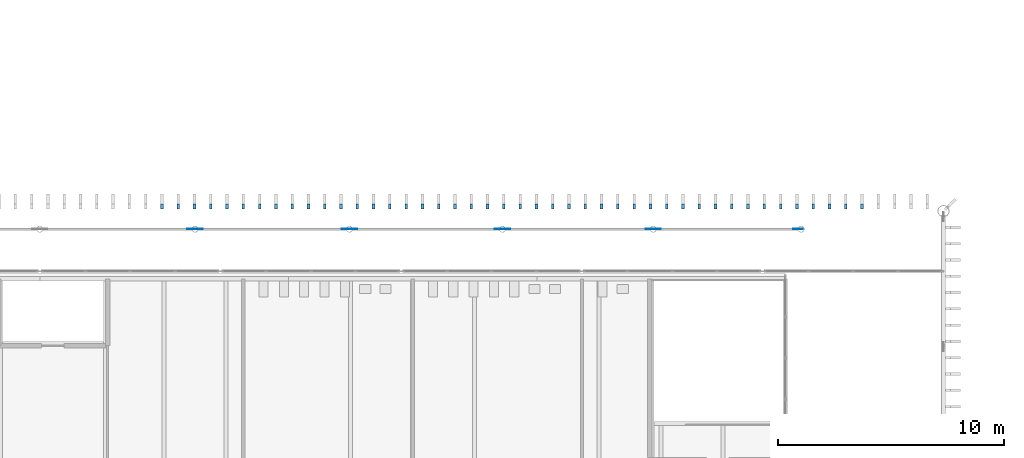
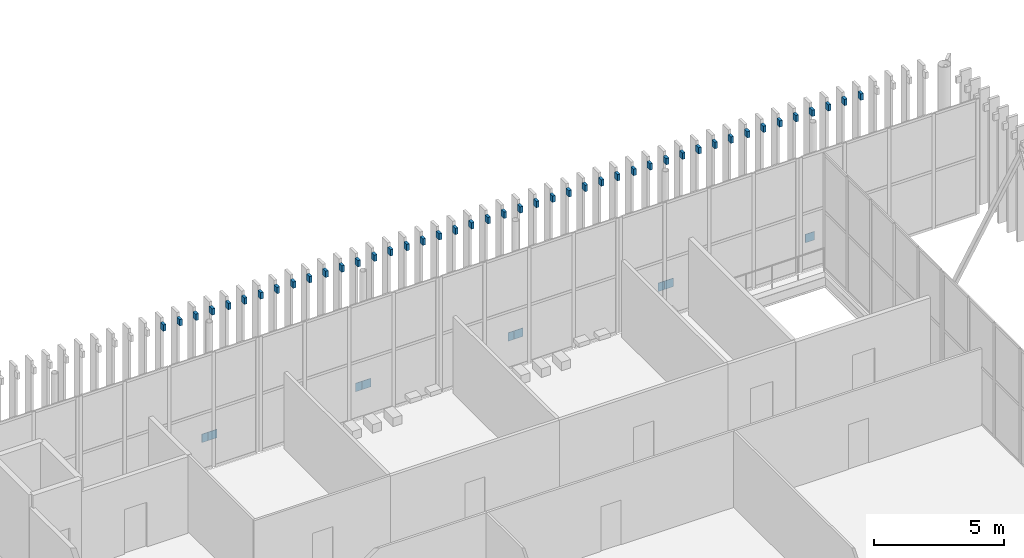
# One storey, part 148 of 170: 53 discrete accessories.
"""IFC4 building model written with IfcOpenShell, lengths in metres."""

from ifc_helpers import new_model, si_unit, direction, frame, origin, origin_2d, place, context, subcontext, project, spatial, rectangle, extrude, material, material_profile, profile_set, type_object, element, save


model = new_model("IFC4")

# Units and contexts
model_context = context("Model", 3, precision=1e-05, world=origin(), true_north=direction((0.0, 1.0)))
body_context = subcontext(model_context, "Body", "Model", "MODEL_VIEW")
ifc_project = project(units=[si_unit("LENGTHUNIT", "METRE"), si_unit("AREAUNIT", "SQUARE_METRE"), si_unit("VOLUMEUNIT", "CUBIC_METRE"), si_unit("PLANEANGLEUNIT", "RADIAN"), si_unit("MASSUNIT", "GRAM", prefix="KILO")], contexts=[model_context])

# Site, building, storey
site_placement = place(None, origin())
site = spatial("IfcSite", under=ifc_project, at=site_placement, CompositionType="ELEMENT")
building_placement = place(site_placement, origin())
building = spatial("IfcBuilding", under=site, at=building_placement, Name="Ravi Spectrum Wholesale Market", CompositionType="ELEMENT")
storey_placement = place(building_placement, frame((0.0, 0.0, 5.39990234375)))
storey = spatial("IfcBuildingStorey", under=building, at=storey_placement, Name="L01", CompositionType="ELEMENT", Elevation=5.39990234375)

# Discrete accessories
ifc_material_1 = material(Name="Steel S355", Category="steel")
discrete_accessory_type_1 = type_object("IfcDiscreteAccessoryType", Name="Fin bracket 120", PredefinedType="BRACKET", material=ifc_material_1)
for number, where, z_axis, x_axis, name in (
    (1, (106.396484375, 198.199951171875, 4.89990234375), (0.0, 0.0, 1.0), (-1.0, 0.0, 0.0), "Fin bracket B592"),
    (2, (105.67578125, 198.199951171875, 4.89990234375), (0.0, 0.0, 1.0), (-1.0, 0.0, 0.0), "Fin bracket B593"),
    (3, (104.954833984375, 198.199951171875, 4.89990234375), (0.0, 0.0, 1.0), (-1.0, 0.0, 0.0), "Fin bracket B594"),
    (4, (104.234130859375, 198.199951171875, 4.89990234375), (0.0, 0.0, 1.0), (-1.0, 0.0, 0.0), "Fin bracket B595"),
    (5, (103.513427734375, 198.199951171875, 4.89990234375), (0.0, 0.0, 1.0), (-1.0, 0.0, 0.0), "Fin bracket B596"),
    (6, (102.792724609375, 198.199951171875, 4.89990234375), (0.0, 0.0, 1.0), (-1.0, 0.0, 0.0), "Fin bracket B597"),
    (7, (102.072021484375, 198.199951171875, 4.89990234375), (0.0, 0.0, 1.0), (-1.0, 0.0, 0.0), "Fin bracket B598"),
    (8, (101.351318359375, 198.199951171875, 4.89990234375), (0.0, 0.0, 1.0), (-1.0, 0.0, 0.0), "Fin bracket B599"),
    (9, (100.630615234375, 198.199951171875, 4.89990234375), (0.0, 0.0, 1.0), (-1.0, 0.0, 0.0), "Fin bracket B600"),
    (10, (99.909912109375, 198.199951171875, 4.89990234375), (0.0, 0.0, 1.0), (-1.0, 0.0, 0.0), "Fin bracket B601"),
    (11, (99.189208984375, 198.199951171875, 4.89990234375), (0.0, 0.0, 1.0), (-1.0, 0.0, 0.0), "Fin bracket B602"),
    (12, (98.468505859375, 198.199951171875, 4.89990234375), (0.0, 0.0, 1.0), (-1.0, 0.0, 0.0), "Fin bracket B603"),
    (13, (97.747802734375, 198.199951171875, 4.89990234375), (0.0, 0.0, 1.0), (-1.0, 0.0, 0.0), "Fin bracket B604"),
    (14, (97.027099609375, 198.199951171875, 4.89990234375), (0.0, 0.0, 1.0), (-1.0, 0.0, 0.0), "Fin bracket B605"),
    (15, (96.306396484375, 198.199951171875, 4.89990234375), (0.0, 0.0, 1.0), (-1.0, 0.0, 0.0), "Fin bracket B606"),
    (16, (95.585693359375, 198.199951171875, 4.89990234375), (0.0, 0.0, 1.0), (-1.0, 0.0, 0.0), "Fin bracket B607"),
    (17, (94.86474609375, 198.199951171875, 4.89990234375), (0.0, 0.0, 1.0), (-1.0, 0.0, 0.0), "Fin bracket B608"),
    (18, (94.14404296875, 198.199951171875, 4.89990234375), (0.0, 0.0, 1.0), (-1.0, 0.0, 0.0), "Fin bracket B609"),
    (19, (93.42333984375, 198.199951171875, 4.89990234375), (0.0, 0.0, 1.0), (-1.0, 0.0, 0.0), "Fin bracket B610"),
    (20, (92.70263671875, 198.199951171875, 4.89990234375), (0.0, 0.0, 1.0), (-1.0, 0.0, 0.0), "Fin bracket B611"),
    (21, (91.98193359375, 198.199951171875, 4.89990234375), (0.0, 0.0, 1.0), (-1.0, 0.0, 0.0), "Fin bracket B612"),
    (22, (91.26123046875, 198.199951171875, 4.89990234375), (0.0, 0.0, 1.0), (-1.0, 0.0, 0.0), "Fin bracket B613"),
    (23, (90.54052734375, 198.199951171875, 4.89990234375), (0.0, 0.0, 1.0), (-1.0, 0.0, 0.0), "Fin bracket B614"),
    (24, (89.81982421875, 198.199951171875, 4.89990234375), (0.0, 0.0, 1.0), (-1.0, 0.0, 0.0), "Fin bracket B615"),
    (25, (89.09912109375, 198.199951171875, 4.89990234375), (0.0, 0.0, 1.0), (-1.0, 0.0, 0.0), "Fin bracket B616"),
    (26, (88.37841796875, 198.199951171875, 4.89990234375), (0.0, 0.0, 1.0), (-1.0, 0.0, 0.0), "Fin bracket B617"),
    (27, (87.65771484375, 198.199951171875, 4.89990234375), (0.0, 0.0, 1.0), (-1.0, 0.0, 0.0), "Fin bracket B618"),
    (28, (86.93701171875, 198.199951171875, 4.89990234375), (0.0, 0.0, 1.0), (-1.0, 0.0, 0.0), "Fin bracket B619"),
    (29, (86.21630859375, 198.199951171875, 4.89990234375), (0.0, 0.0, 1.0), (-1.0, 0.0, 0.0), "Fin bracket B620"),
    (30, (85.49560546875, 198.199951171875, 4.89990234375), (0.0, 0.0, 1.0), (-1.0, 0.0, 0.0), "Fin bracket B621"),
    (31, (84.774658203125, 198.199951171875, 4.89990234375), (0.0, 0.0, 1.0), (-1.0, 0.0, 0.0), "Fin bracket B622"),
    (32, (84.053955078125, 198.199951171875, 4.89990234375), (0.0, 0.0, 1.0), (-1.0, 0.0, 0.0), "Fin bracket B623"),
    (33, (83.333251953125, 198.199951171875, 4.89990234375), (0.0, 0.0, 1.0), (-1.0, 0.0, 0.0), "Fin bracket B624"),
    (34, (82.612548828125, 198.199951171875, 4.89990234375), (0.0, 0.0, 1.0), (-1.0, 0.0, 0.0), "Fin bracket B625"),
    (35, (81.891845703125, 198.199951171875, 4.89990234375), (0.0, 0.0, 1.0), (-1.0, 0.0, 0.0), "Fin bracket B626"),
    (36, (81.171142578125, 198.199951171875, 4.89990234375), (0.0, 0.0, 1.0), (-1.0, 0.0, 0.0), "Fin bracket B627"),
    (37, (80.450439453125, 198.199951171875, 4.89990234375), (0.0, 0.0, 1.0), (-1.0, 0.0, 0.0), "Fin bracket B628"),
    (38, (79.729736328125, 198.199951171875, 4.89990234375), (0.0, 0.0, 1.0), (-1.0, 0.0, 0.0), "Fin bracket B629"),
    (39, (79.009033203125, 198.199951171875, 4.89990234375), (0.0, 0.0, 1.0), (-1.0, 0.0, 0.0), "Fin bracket B630"),
    (40, (78.288330078125, 198.199951171875, 4.89990234375), (0.0, 0.0, 1.0), (-1.0, 0.0, 0.0), "Fin bracket B631"),
    (41, (77.567626953125, 198.199951171875, 4.89990234375), (0.0, 0.0, 1.0), (-1.0, 0.0, 0.0), "Fin bracket B632"),
    (42, (76.846923828125, 198.199951171875, 4.89990234375), (0.0, 0.0, 1.0), (-1.0, 0.0, 0.0), "Fin bracket B633"),
    (43, (76.126220703125, 198.199951171875, 4.89990234375), (0.0, 0.0, 1.0), (-1.0, 0.0, 0.0), "Fin bracket B634"),
    (44, (75.405517578125, 198.199951171875, 4.89990234375), (0.0, 0.0, 1.0), (-1.0, 0.0, 0.0), "Fin bracket B635"),
):
    element("IfcDiscreteAccessory", number, at=place(storey_placement, frame(where, z_axis=z_axis, x_axis=x_axis)), inside=storey, type_object=discrete_accessory_type_1, Name=name, PredefinedType="BRACKET", context=body_context, shape_type="SweptSolid", body=[
        extrude(rectangle(XDim=0.1201171875, YDim=0.219970703125, at=origin_2d()), origin(), (0.0, 0.0, 1.0), 0.300048828125),
    ])
ifc_material_2 = material(Name="Steel S355", Category="steel")
ifc_material_profile = material_profile(ifc_material_2, rectangle(XDim=0.39990234375, YDim=0.02001953125, at=origin_2d()))
ifc_profile_set = profile_set([ifc_material_profile], Name="Steel S355")
discrete_accessory_type_2 = type_object("IfcDiscreteAccessoryType", Name="Gusset plate 400x400x20", PredefinedType="BRACKET", material=ifc_profile_set)
for number, where, z_axis, x_axis, name in (
    (45, (76.733154296875, 197.199951171875, -0.199951171875), (0.0, 0.0, 1.0), (1.0, 0.0, 0.0), "Gusset plate"),
    (46, (77.006103515625, 197.199951171875, -0.199951171875), (0.0, 0.0, 1.0), (1.0, 0.0, 0.0), "Gusset plate"),
    (47, (83.56982421875, 197.199951171875, -0.199951171875), (0.0, 0.0, 1.0), (1.0, 0.0, 0.0), "Gusset plate"),
    (48, (83.8427734375, 197.199951171875, -0.199951171875), (0.0, 0.0, 1.0), (1.0, 0.0, 0.0), "Gusset plate"),
    (49, (90.341552734375, 197.199951171875, -0.199951171875), (0.0, 0.0, 1.0), (1.0, 0.0, 0.0), "Gusset plate"),
    (50, (90.614501953125, 197.199951171875, -0.199951171875), (0.0, 0.0, 1.0), (1.0, 0.0, 0.0), "Gusset plate"),
    (51, (97.015625, 197.199951171875, -0.199951171875), (0.0, 0.0, 1.0), (1.0, 0.0, 0.0), "Gusset plate"),
    (52, (97.28857421875, 197.199951171875, -0.199951171875), (0.0, 0.0, 1.0), (1.0, 0.0, 0.0), "Gusset plate"),
    (53, (103.560546875, 197.199951171875, -0.199951171875), (0.0, 0.0, 1.0), (1.0, 0.0, 0.0), "Gusset plate"),
):
    element("IfcDiscreteAccessory", number, at=place(storey_placement, frame(where, z_axis=z_axis, x_axis=x_axis)), inside=storey, type_object=discrete_accessory_type_2, Name=name, PredefinedType="BRACKET", context=body_context, shape_type="SweptSolid", body=[
        extrude(rectangle(XDim=0.39990234375, YDim=0.02001953125, at=origin_2d()), origin(), (0.0, 0.0, 1.0), 0.400146484375),
    ])

save(model, "model.ifc")
